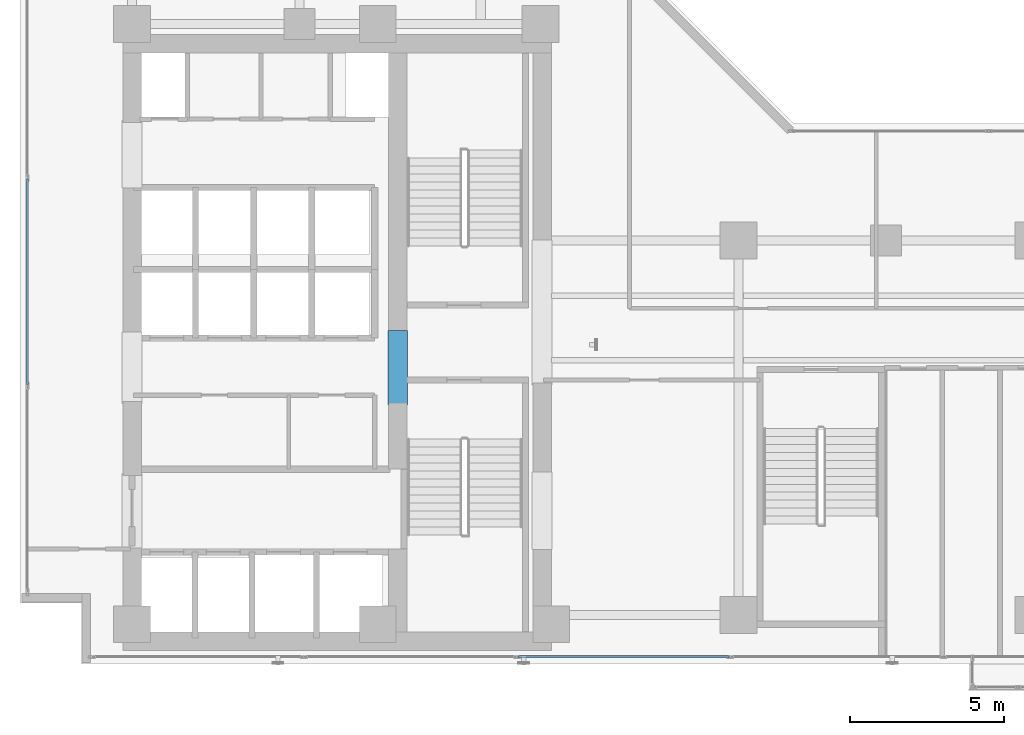
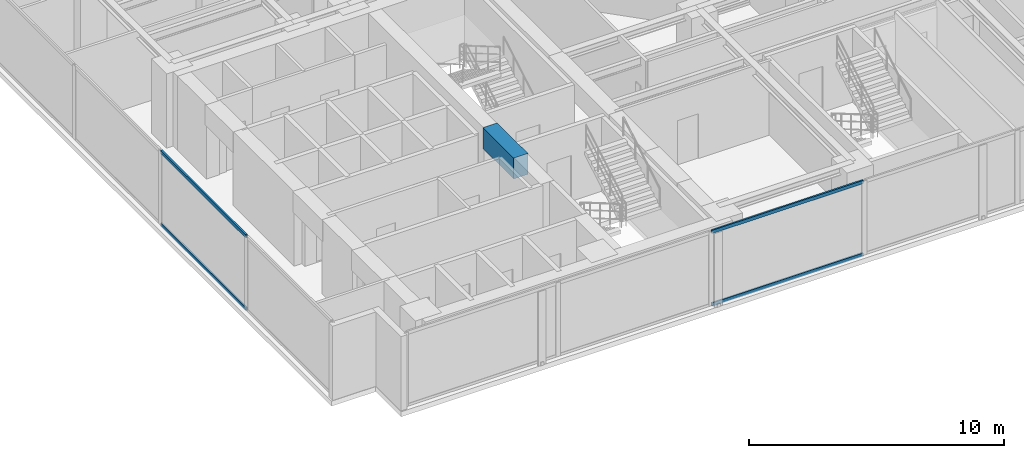
# One storey, part 3 of 27: 4 members, 1 beam, 2 elements without a shape of their own.
"""IFC4 building model written with IfcOpenShell, lengths in metres."""

from ifc_helpers import new_model, si_unit, direction, frame, origin, origin_with_axes, origin_2d, place, context, subcontext, project, spatial, rectangle, hollow_rectangle, extrude, source, transform, mapped, material, layer, layer_set, material_profile, profile_set, type_object, element, aggregate, save


model = new_model("IFC4")

# Units and contexts
model_context = context("Model", 3, precision=1e-05, world=origin(), true_north=direction((0.0, 1.0)))
body_context = subcontext(model_context, "Body", "Model", "MODEL_VIEW")
ifc_project = project(units=[si_unit("LENGTHUNIT", "METRE"), si_unit("AREAUNIT", "SQUARE_METRE"), si_unit("VOLUMEUNIT", "CUBIC_METRE"), si_unit("PLANEANGLEUNIT", "RADIAN"), si_unit("MASSUNIT", "GRAM", prefix="KILO")], contexts=[model_context])

# Site, building, storey
site_placement = place(None, origin())
site = spatial("IfcSite", under=ifc_project, at=site_placement, CompositionType="ELEMENT")
building_placement = place(site_placement, origin())
building = spatial("IfcBuilding", under=site, at=building_placement, Name="Kolvaren Waterfront Exchange", CompositionType="ELEMENT")
storey_placement = place(building_placement, frame((0.0, 0.0, 161.39990234375)))
storey = spatial("IfcBuildingStorey", under=building, at=storey_placement, Name="L41", CompositionType="ELEMENT", Elevation=161.39990234375)

# Beam
ifc_material_1 = material(Name="Concrete C60/75", Category="concrete")
ifc_material_profile_1 = material_profile(ifc_material_1, rectangle(XDim=0.64990234375, YDim=1.0, at=origin_2d()), Name="RC-CB-1000x650")
ifc_profile_set_1 = profile_set([ifc_material_profile_1], Name="Concrete C60/75")
beam_type = type_object("IfcBeamType", Name="STR-CB-1000", PredefinedType="SPANDREL", material=ifc_profile_set_1)
beam_placement = place(storey_placement, frame((16.10009765625, 12.0400390625, 3.06005859375), z_axis=(0.0, 1.0, 0.0), x_axis=(-1.0, 0.0, 0.0)))
element("IfcBeam", 1, at=beam_placement, inside=storey, type_object=beam_type, Name="L41 core coupling beam 6", PredefinedType="SPANDREL", context=body_context, shape_type="SweptSolid", body=[
    extrude(rectangle(XDim=0.64990234375, YDim=1.0, at=origin_2d()), origin(), (0.0, 0.0, 1.0), 2.419921875),
])

# Curtain wall, members
ifc_material_2 = material(Name="Anodised bronze aluminium 6063-T6", Category="aluminium")
ifc_layer_1 = layer(ifc_material_2, 0.219970703125, Name="Anodised bronze aluminium 6063-T6")
ifc_layer_set_1 = layer_set([ifc_layer_1], Name="Anodised bronze aluminium 6063-T6")
curtain_wall_type_1 = type_object("IfcCurtainWallType", Name="ARC-CW-SYS1", PredefinedType="USERDEFINED", material=ifc_layer_set_1)
curtain_wall_1_placement = place(storey_placement, origin())
curtain_wall_1 = element("IfcCurtainWall", 2, at=curtain_wall_1_placement, inside=storey, type_object=curtain_wall_type_1, Name="L41 stick curtain wall CW1 (CW-L41-S)", ObjectType="STICK CURTAIN WALL", PredefinedType="USERDEFINED")
ifc_material_3 = material(Name="Anodised aluminium 6063-T6", Category="aluminium")
ifc_material_profile_2 = material_profile(ifc_material_3, hollow_rectangle(XDim=0.074951171875, YDim=0.159912109375, WallThickness=0.00439453125, at=origin_2d()), Name="ALU-TRN-160x75x4.5")
ifc_profile_set_2 = profile_set([ifc_material_profile_2], Name="Anodised aluminium 6063-T6")
member_type = type_object("IfcMemberType", Name="ARC-CWT-160", PredefinedType="USERDEFINED", material=ifc_profile_set_2)
shared_shape_1 = source(origin_with_axes(), body_context, "Body", "SweptSolid", [
    extrude(hollow_rectangle(XDim=0.074951171875, YDim=0.159912109375, WallThickness=0.00439453125, at=origin_2d()), origin(), (0.0, 0.0, 1.0), 6.863037109375),
])
member_1_placement = place(storey_placement, frame((20.025634765625, 3.840087890625, 0.03759765625), z_axis=(1.0, 0.0, 0.0), x_axis=(0.0, 1.0, 0.0)))
member_1 = element("IfcMember", 3, at=member_1_placement, type_object=member_type, Name="CW1 transom 3.1", ObjectType="TRANSOM", PredefinedType="USERDEFINED", context=body_context, shape_type="MappedRepresentation", body=[
    mapped(shared_shape_1, transform((0.0, 0.0, 0.0), x_axis=(1.0, 0.0, 0.0), y_axis=(0.0, 1.0, 0.0), z_axis=(0.0, 0.0, 1.0), scale=1.0)),
])
member_2_placement = place(storey_placement, frame((20.025634765625, 3.840087890625, 3.522705078125), z_axis=(1.0, 0.0, 0.0), x_axis=(0.0, 1.0, 0.0)))
member_2 = element("IfcMember", 4, at=member_2_placement, type_object=member_type, Name="CW1 transom 3.2", ObjectType="TRANSOM", PredefinedType="USERDEFINED", context=body_context, shape_type="MappedRepresentation", body=[
    mapped(shared_shape_1, transform((0.0, 0.0, 0.0), x_axis=(1.0, 0.0, 0.0), y_axis=(0.0, 1.0, 0.0), z_axis=(0.0, 0.0, 1.0), scale=1.0)),
])
aggregate(curtain_wall_1, [member_1, member_2])

ifc_layer_2 = layer(ifc_material_3, 0.219970703125, Name="Anodised aluminium 6063-T6")
ifc_layer_set_2 = layer_set([ifc_layer_2], Name="Anodised aluminium 6063-T6")
curtain_wall_type_2 = type_object("IfcCurtainWallType", Name="ARC-CW-SYS2", PredefinedType="USERDEFINED", material=ifc_layer_set_2)
curtain_wall_2_placement = place(storey_placement, origin())
curtain_wall_2 = element("IfcCurtainWall", 5, at=curtain_wall_2_placement, inside=storey, type_object=curtain_wall_type_2, Name="L41 stick curtain wall CW2 (CW-L41-W)", ObjectType="STICK CURTAIN WALL", PredefinedType="USERDEFINED")
shared_shape_2 = source(origin_with_axes(), body_context, "Body", "SweptSolid", [
    extrude(hollow_rectangle(XDim=0.074951171875, YDim=0.159912109375, WallThickness=0.00439453125, at=origin_2d()), origin(), (0.0, 0.0, 1.0), 6.6865234375),
])
member_3_placement = place(storey_placement, frame((4.0400390625, 12.706787109375, 0.03759765625), z_axis=(0.0, 1.0, 0.0), x_axis=(-1.0, 0.0, 0.0)))
member_3 = element("IfcMember", 6, at=member_3_placement, type_object=member_type, Name="CW2 transom 2.1", ObjectType="TRANSOM", PredefinedType="USERDEFINED", context=body_context, shape_type="MappedRepresentation", body=[
    mapped(shared_shape_2, transform((0.0, 0.0, 0.0), x_axis=(1.0, 0.0, 0.0), y_axis=(0.0, 1.0, 0.0), z_axis=(0.0, 0.0, 1.0), scale=1.0)),
])
member_4_placement = place(storey_placement, frame((4.0400390625, 12.706787109375, 3.522705078125), z_axis=(0.0, 1.0, 0.0), x_axis=(-1.0, 0.0, 0.0)))
member_4 = element("IfcMember", 7, at=member_4_placement, type_object=member_type, Name="CW2 transom 2.2", ObjectType="TRANSOM", PredefinedType="USERDEFINED", context=body_context, shape_type="MappedRepresentation", body=[
    mapped(shared_shape_2, transform((0.0, 0.0, 0.0), x_axis=(1.0, 0.0, 0.0), y_axis=(0.0, 1.0, 0.0), z_axis=(0.0, 0.0, 1.0), scale=1.0)),
])
aggregate(curtain_wall_2, [member_3, member_4])

save(model, "model.ifc")
